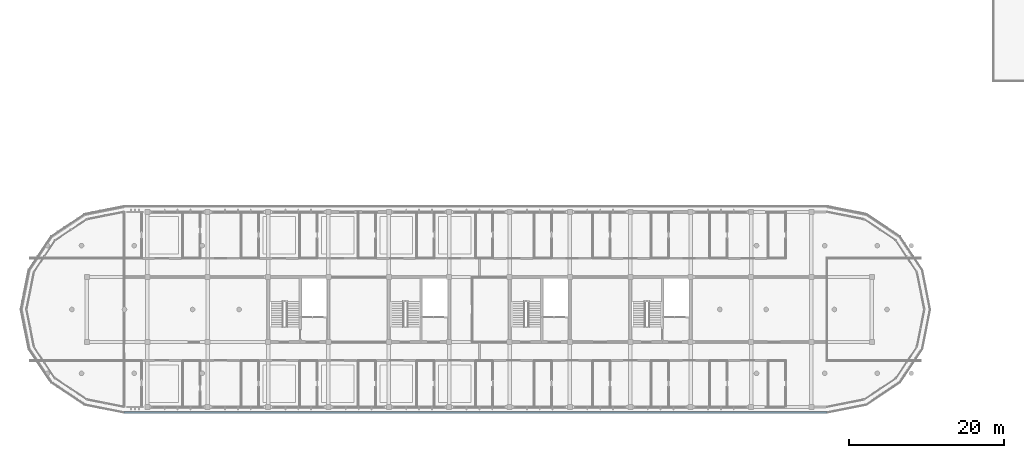
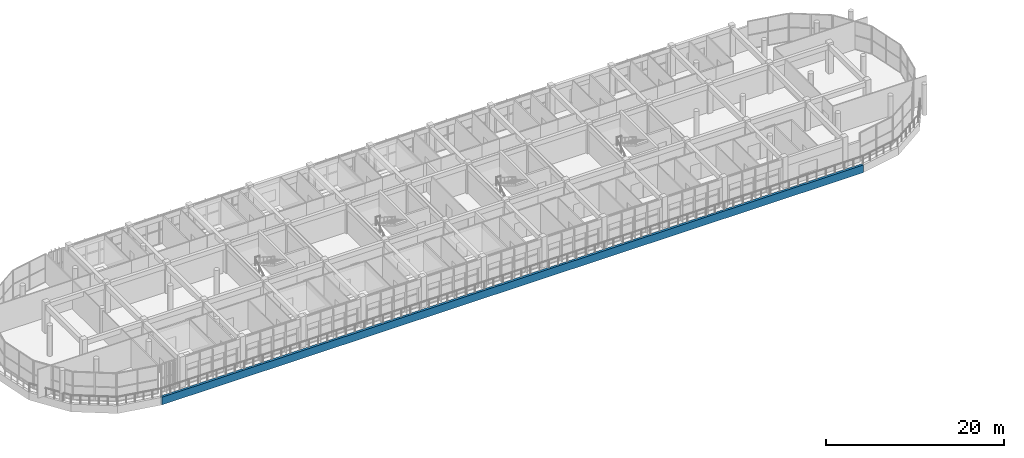
# One storey, part 41 of 63: 1 plate.
"""IFC4 building model written with IfcOpenShell, lengths in metres."""

from ifc_helpers import new_model, si_unit, direction, frame, origin, place, context, subcontext, project, spatial, polyline, outline, extrude, material, layer, layer_set, type_object, element, save


model = new_model("IFC4")

# Units and contexts
model_context = context("Model", 3, precision=1e-05, world=origin(), true_north=direction((0.0, 1.0)))
body_context = subcontext(model_context, "Body", "Model", "MODEL_VIEW")
ifc_project = project(units=[si_unit("LENGTHUNIT", "METRE"), si_unit("AREAUNIT", "SQUARE_METRE"), si_unit("VOLUMEUNIT", "CUBIC_METRE"), si_unit("PLANEANGLEUNIT", "RADIAN"), si_unit("MASSUNIT", "GRAM", prefix="KILO")], contexts=[model_context])

# Site, building, storey
site_placement = place(None, origin())
site = spatial("IfcSite", under=ifc_project, at=site_placement, CompositionType="ELEMENT")
building_placement = place(site_placement, origin())
building = spatial("IfcBuilding", under=site, at=building_placement, Name="Zizhar Promenade General Hospital", CompositionType="ELEMENT")
storey_placement = place(building_placement, frame((0.0, 0.0, 18.0)))
storey = spatial("IfcBuildingStorey", under=building, at=storey_placement, Name="L04", CompositionType="ELEMENT", Elevation=18.0)

# Plate
ifc_material = material(Name="Precast concrete C40/50", Category="concrete")
ifc_layer = layer(ifc_material, 0.300048828125)
ifc_layer_set = layer_set([ifc_layer], Name="Precast concrete C40/50")
plate_type = type_object("IfcPlateType", Name="PL-PC-BAND1100", PredefinedType="USERDEFINED", material=ifc_layer_set)
plate_placement = place(storey_placement, frame((0.0, 0.0, -1.050048828125)))
element("IfcPlate", 1, at=plate_placement, inside=storey, type_object=plate_type, Name="Ward Precast Slab Band L04-18", ObjectType="FASCIA_BAND", PredefinedType="USERDEFINED", context=body_context, shape_type="SweptSolid", body=[
    extrude(outline(polyline([(28.199951171875, -0.85009765625), (119.0, -0.85009765625), (119.0, -0.550048828125), (28.199951171875, -0.550048828125), (28.199951171875, -0.85009765625)])), origin(), (0.0, 0.0, 1.0), 1.050048828125),
])

save(model, "model.ifc")
